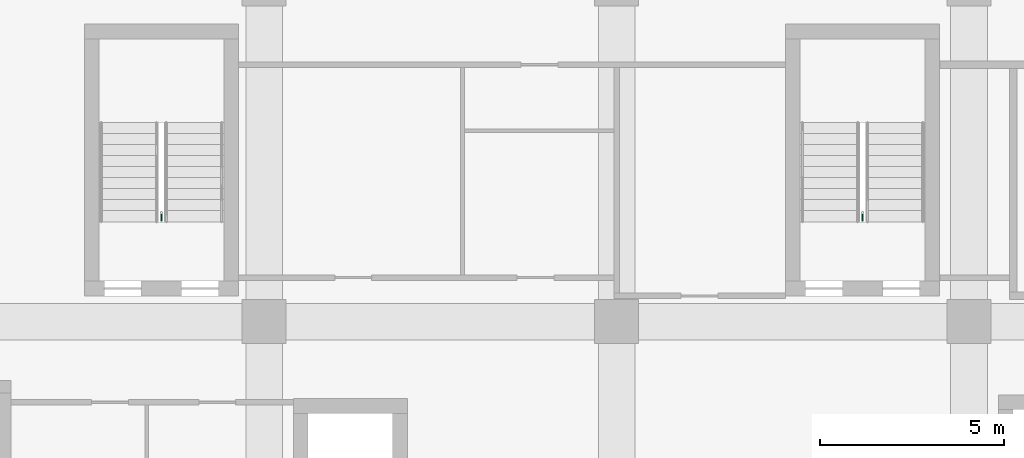
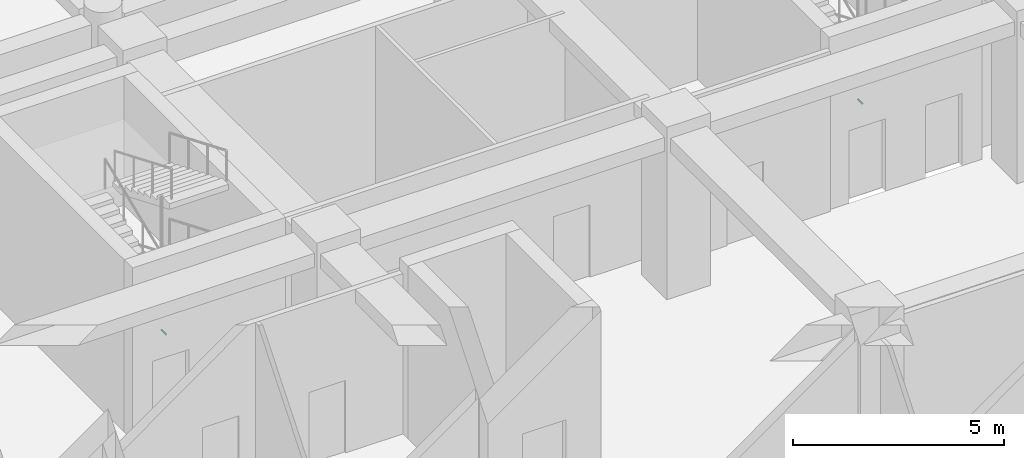
# One storey, part 27 of 31: 2 pipe fittings.
"""IFC4 building model written with IfcOpenShell, lengths in metres."""

from ifc_helpers import new_model, si_unit, direction, frame, origin, origin_2d, place, context, subcontext, project, spatial, circle, extrude, element, save


model = new_model("IFC4")

# Units and contexts
model_context = context("Model", 3, precision=1e-05, world=origin(), true_north=direction((0.0, 1.0)))
body_context = subcontext(model_context, "Body", "Model", "MODEL_VIEW")
ifc_project = project(units=[si_unit("LENGTHUNIT", "METRE"), si_unit("AREAUNIT", "SQUARE_METRE"), si_unit("VOLUMEUNIT", "CUBIC_METRE"), si_unit("PLANEANGLEUNIT", "RADIAN"), si_unit("MASSUNIT", "GRAM", prefix="KILO")], contexts=[model_context])

# Site, building, storey
site_placement = place(None, origin())
site = spatial("IfcSite", under=ifc_project, at=site_placement, CompositionType="ELEMENT")
building_placement = place(site_placement, origin())
building = spatial("IfcBuilding", under=site, at=building_placement, Name="Nzadi Deep Aquarium and Research Tower", CompositionType="ELEMENT")
storey_placement = place(building_placement, frame((0.0, 0.0, 21.699951171875)))
storey = spatial("IfcBuildingStorey", under=building, at=storey_placement, Name="L03", CompositionType="ELEMENT", Elevation=21.699951171875)

# Pipe fittings
for number, where, z_axis, x_axis, name in (
    (1, (6.800048828125, 39.77001953125, 1.10009765625), (0.0, -1.0, 0.0), (1.0, 0.0, 0.0), "Dry riser outlet ST-Z1-NW L03"),
    (2, (25.89990234375, 39.77001953125, 1.10009765625), (0.0, -1.0, 0.0), (1.0, 0.0, 0.0), "Dry riser outlet ST-Z1-NE L03"),
):
    element("IfcPipeFitting", number, at=place(storey_placement, frame(where, z_axis=z_axis, x_axis=x_axis)), inside=storey, Name=name, PredefinedType="EXIT", context=body_context, shape_type="SweptSolid", body=[
        extrude(circle(Radius=0.0224609375, at=origin_2d()), origin(), (0.0, 0.0, 1.0), 0.22998046875),
    ])

save(model, "model.ifc")
